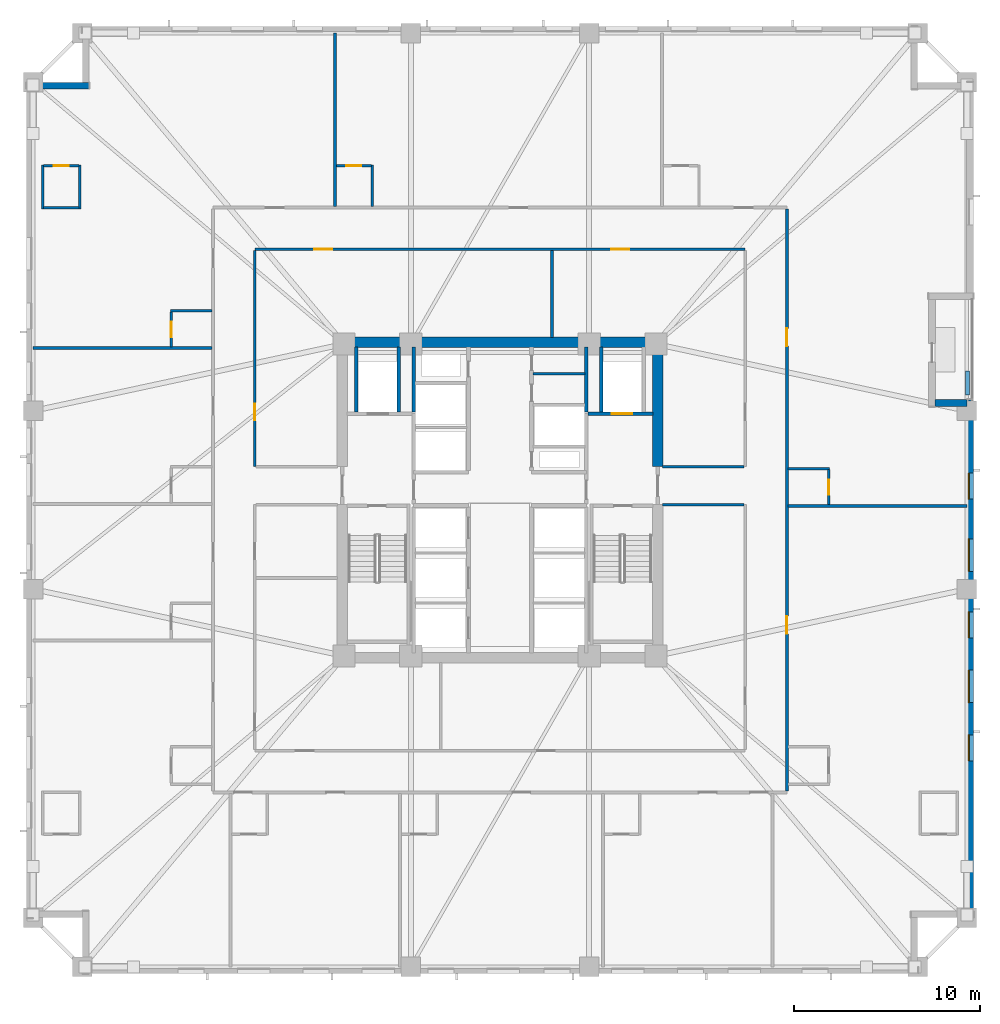
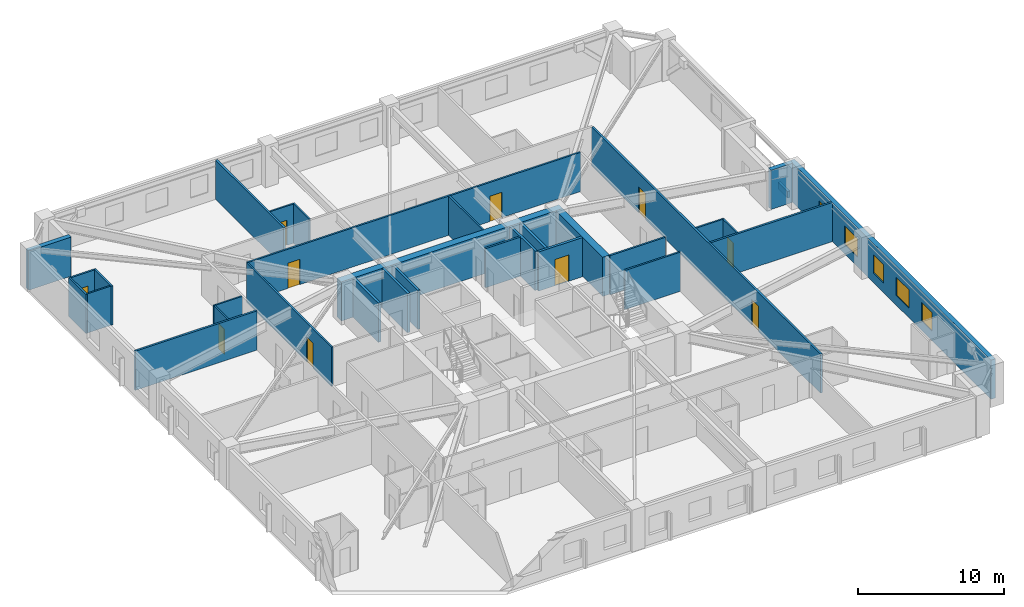
# One storey, part 5 of 11: 32 walls, 10 doors, 5 windows, 15 openings.
"""IFC4 building model written with IfcOpenShell, lengths in metres."""

from ifc_helpers import new_model, si_unit, direction, frame, frame_2d, origin, place, context, subcontext, project, spatial, rectangle, extrude, material, layer, layer_set, type_object, element, fill, save


model = new_model("IFC4")

# Units and contexts
model_context = context("Model", 3, precision=1e-05, world=origin(), true_north=direction((0.0, 1.0)))
body_context = subcontext(model_context, "Body", "Model", "MODEL_VIEW")
ifc_project = project(units=[si_unit("LENGTHUNIT", "METRE"), si_unit("AREAUNIT", "SQUARE_METRE"), si_unit("VOLUMEUNIT", "CUBIC_METRE"), si_unit("PLANEANGLEUNIT", "RADIAN"), si_unit("MASSUNIT", "GRAM", prefix="KILO")], contexts=[model_context])

# Site, building, storey
site_placement = place(None, origin())
site = spatial("IfcSite", under=ifc_project, at=site_placement, CompositionType="ELEMENT")
building_placement = place(site_placement, origin())
building = spatial("IfcBuilding", under=site, at=building_placement, Name="Cairnveth Concourse Tower", CompositionType="ELEMENT")
storey_placement = place(building_placement, frame((0.0, 0.0, 76.0)))
storey = spatial("IfcBuildingStorey", under=building, at=storey_placement, Name="L20", CompositionType="ELEMENT", Elevation=76.0)

# Wall
ifc_material_1 = material(Name="Gypsum Plasterboard Partition", Category="gypsum")
ifc_layer_1 = layer(ifc_material_1, 0.159912109375)
ifc_layer_set_1 = layer_set([ifc_layer_1], Name="Gypsum Plasterboard Partition")
wall_type_1 = type_object("IfcWallType", Name="ACOUSTIC PARTY WALL 180", PredefinedType="PARTITIONING", material=ifc_layer_set_1)
wall_1_placement = place(storey_placement, frame((53.784912109375, 45.800048828125, 0.0), z_axis=(0.0, 0.0, 1.0), x_axis=(1.0, 0.0, 0.0)))
element("IfcWall", 1, at=wall_1_placement, inside=storey, type_object=wall_type_1, Name="Interior Wall IW-L20-037", PredefinedType="PARTITIONING", context=body_context, shape_type="SweptSolid", body=[
    extrude(rectangle(XDim=2.7900390625, YDim=0.159912109375, at=frame_2d((1.39501953125, 0.0))), origin(), (0.0, 0.0, 1.0), 3.280029296875),
])

# Wall, openings, doors
wall_2_placement = place(storey_placement, frame((67.449951171875, 23.31494140625, 0.0), z_axis=(0.0, 0.0, 1.0), x_axis=(0.0, 1.0, 0.0)))
wall_2 = element("IfcWall", 2, at=wall_2_placement, inside=storey, type_object=wall_type_1, Name="Interior Wall IW-L20-041", PredefinedType="PARTITIONING", context=body_context, shape_type="SweptSolid", body=[
    extrude(rectangle(XDim=31.3701171875, YDim=0.159912109375, at=frame_2d((15.68505859375, 0.0))), origin(), (0.0, 0.0, 1.0), 3.280029296875),
])
opening_1_placement = place(wall_2_placement, frame((8.47412109375, 0.0, 0.0)))
opening_1 = element("IfcOpeningElement", 3, at=opening_1_placement, cuts=wall_2, Name="Opening ID09", PredefinedType="OPENING", context=body_context, shape_type="SweptSolid", body=[
    extrude(rectangle(XDim=0.9599609375, YDim=2.14990234375, at=frame_2d((0.47998046875, 1.074951171875))), frame((0.0, 0.08984375, 0.0), z_axis=(0.0, -1.0, 0.0), x_axis=(1.0, 0.0, 0.0)), (0.0, 0.0, 1.0), 0.179931640625),
])
opening_2_placement = place(wall_2_placement, frame((23.97412109375, 0.0, 0.0)))
opening_2 = element("IfcOpeningElement", 4, at=opening_2_placement, cuts=wall_2, Name="Opening ID09", PredefinedType="OPENING", context=body_context, shape_type="SweptSolid", body=[
    extrude(rectangle(XDim=0.9599609375, YDim=2.14990234375, at=frame_2d((0.47998046875, 1.074951171875))), frame((0.0, 0.08984375, 0.0), z_axis=(0.0, -1.0, 0.0), x_axis=(1.0, 0.0, 0.0)), (0.0, 0.0, 1.0), 0.179931640625),
])
ifc_material_2 = material(Name="Solid Core Hardwood Timber Leaf", Category="wood")
door_type_1 = type_object("IfcDoorType", Name="HOTEL ENTRANCE DOOR 960X2150", OperationType="NOTDEFINED", PredefinedType="DOOR", material=ifc_material_2)
door_1_placement = place(opening_1_placement, origin())
door_1 = element("IfcDoor", 5, at=door_1_placement, inside=storey, type_object=door_type_1, Name="Hotel Room Door L20-E1", OperationType="SINGLE_SWING_RIGHT", OverallHeight=2.14990234375, OverallWidth=0.9599609375, PredefinedType="DOOR", context=body_context, shape_type="SweptSolid", body=[
    extrude(rectangle(XDim=0.9599609375, YDim=2.14990234375, at=frame_2d((0.47998046875, 1.074951171875))), frame((0.0, 0.02490234375, 0.0), z_axis=(0.0, -1.0, 0.0), x_axis=(1.0, 0.0, 0.0)), (0.0, 0.0, 1.0), 0.050048828125),
])
fill(opening_1, door_1)
door_2_placement = place(opening_2_placement, origin())
door_2 = element("IfcDoor", 6, at=door_2_placement, inside=storey, type_object=door_type_1, Name="Hotel Room Door L20-E2", OperationType="SINGLE_SWING_RIGHT", OverallHeight=2.14990234375, OverallWidth=0.9599609375, PredefinedType="DOOR", context=body_context, shape_type="SweptSolid", body=[
    extrude(rectangle(XDim=0.9599609375, YDim=2.14990234375, at=frame_2d((0.47998046875, 1.074951171875))), frame((0.0, 0.02490234375, 0.0), z_axis=(0.0, -1.0, 0.0), x_axis=(1.0, 0.0, 0.0)), (0.0, 0.0, 1.0), 0.050048828125),
])
fill(opening_2, door_2)

# Walls
wall_3_placement = place(storey_placement, frame((43.1201171875, 54.81494140625, 0.0), z_axis=(0.0, 0.0, 1.0), x_axis=(0.0, 1.0, 0.0)))
element("IfcWall", 7, at=wall_3_placement, inside=storey, type_object=wall_type_1, Name="Interior Wall IW-L20-077", PredefinedType="PARTITIONING", context=body_context, shape_type="SweptSolid", body=[
    extrude(rectangle(XDim=9.340087890625, YDim=0.159912109375, at=frame_2d((4.669921875, 0.0))), origin(), (0.0, 0.0, 1.0), 3.280029296875),
])
for number, where, z_axis, x_axis, name in (
    (8, (26.844970703125, 47.18701171875, 0.0), (0.0, 0.0, 1.0), (1.0, 0.0, 0.0), "Interior Wall IW-L20-092"),
    (9, (67.514892578125, 38.68798828125, 0.0), (0.0, 0.0, 1.0), (1.0, 0.0, 0.0), "Interior Wall IW-L20-098"),
):
    element("IfcWall", number, at=place(storey_placement, frame(where, z_axis=z_axis, x_axis=x_axis)), inside=storey, type_object=wall_type_1, Name=name, PredefinedType="PARTITIONING", context=body_context, shape_type="SweptSolid", body=[
        extrude(rectangle(XDim=9.64013671875, YDim=0.159912109375, at=frame_2d((4.820068359375, 0.0))), origin(), (0.0, 0.0, 1.0), 3.280029296875),
    ])
ifc_material_3 = material(Name="Concrete N80 (80 MPa)", Category="concrete")
ifc_layer_2 = layer(ifc_material_3, 0.550048828125)
ifc_layer_set_2 = layer_set([ifc_layer_2], Name="Concrete N80 (80 MPa)")
wall_type_2 = type_object("IfcWallType", Name="CORE SHEAR WALL 550", PredefinedType="SHEAR", material=ifc_layer_set_2)
wall_4_placement = place(storey_placement, frame((43.22509765625, 47.5, 0.0), z_axis=(0.0, 0.0, 1.0), x_axis=(1.0, 0.0, 0.0)))
element("IfcWall", 10, at=wall_4_placement, inside=storey, type_object=wall_type_2, Name="Core North Shear Wall L20", PredefinedType="SHEAR", context=body_context, shape_type="SweptSolid", body=[
    extrude(rectangle(XDim=17.5498046875, YDim=0.550048828125, at=frame_2d((8.77490234375, 0.0))), origin(), (0.0, 0.0, 1.0), 3.280029296875),
])
wall_5_placement = place(storey_placement, frame((60.5, 40.800048828125, 0.0), z_axis=(0.0, 0.0, 1.0), x_axis=(0.0, 1.0, 0.0)))
element("IfcWall", 11, at=wall_5_placement, inside=storey, type_object=wall_type_2, Name="Core East Shear Wall N L20", PredefinedType="SHEAR", context=body_context, shape_type="SweptSolid", body=[
    extrude(rectangle(XDim=6.43505859375, YDim=0.550048828125, at=frame_2d((3.217529296875, 0.0))), origin(), (0.0, 0.0, 1.0), 3.280029296875),
])
ifc_material_4 = material(Name="Concrete N50 (50 MPa)", Category="concrete")
ifc_layer_3 = layer(ifc_material_4, 0.179931640625)
ifc_layer_set_3 = layer_set([ifc_layer_3], Name="Concrete N50 (50 MPa)")
wall_type_3 = type_object("IfcWallType", Name="FIRE SHAFT WALL 180", PredefinedType="SOLIDWALL", material=ifc_layer_set_3)
for number, where, z_axis, x_axis, name in (
    (12, (47.35009765625, 43.735107421875, 0.0), (0.0, 0.0, 1.0), (0.0, 1.0, 0.0), "Interior Wall IW-L20-031"),
    (13, (56.64990234375, 43.735107421875, 0.0), (0.0, 0.0, 1.0), (0.0, 1.0, 0.0), "Interior Wall IW-L20-034"),
):
    element("IfcWall", number, at=place(storey_placement, frame(where, z_axis=z_axis, x_axis=x_axis)), inside=storey, type_object=wall_type_3, Name=name, PredefinedType="SOLIDWALL", context=body_context, shape_type="SweptSolid", body=[
        extrude(rectangle(XDim=3.5048828125, YDim=0.179931640625, at=frame_2d((1.75244140625, 0.0))), origin(), (0.0, 0.0, 1.0), 3.280029296875),
    ])
ifc_layer_4 = layer(ifc_material_4, 0.199951171875)
ifc_layer_set_4 = layer_set([ifc_layer_4], Name="Concrete N50 (50 MPa)")
wall_type_4 = type_object("IfcWallType", Name="FIRE SHAFT WALL 200", PredefinedType="SOLIDWALL", material=ifc_layer_set_4)
for number, where, z_axis, x_axis, name in (
    (14, (46.550048828125, 43.735107421875, 0.0), (0.0, 0.0, 1.0), (0.0, 1.0, 0.0), "Interior Wall IW-L20-018"),
    (15, (44.25, 43.735107421875, 0.0), (0.0, 0.0, 1.0), (0.0, 1.0, 0.0), "Interior Wall IW-L20-019"),
):
    element("IfcWall", number, at=place(storey_placement, frame(where, z_axis=z_axis, x_axis=x_axis)), inside=storey, type_object=wall_type_4, Name=name, PredefinedType="SOLIDWALL", context=body_context, shape_type="SweptSolid", body=[
        extrude(rectangle(XDim=3.5048828125, YDim=0.199951171875, at=frame_2d((1.75244140625, 0.0))), origin(), (0.0, 0.0, 1.0), 3.280029296875),
    ])

# Wall, opening, door
wall_6_placement = place(storey_placement, frame((56.735107421875, 43.64990234375, 0.0), z_axis=(0.0, 0.0, 1.0), x_axis=(1.0, 0.0, 0.0)))
wall_6 = element("IfcWall", 16, at=wall_6_placement, inside=storey, type_object=wall_type_4, Name="Interior Wall IW-L20-022", PredefinedType="SOLIDWALL", context=body_context, shape_type="SweptSolid", body=[
    extrude(rectangle(XDim=3.5048828125, YDim=0.199951171875, at=frame_2d((1.75244140625, 0.0))), origin(), (0.0, 0.0, 1.0), 3.280029296875),
])
opening_3_placement = place(wall_6_placement, frame((1.294921875, 0.0, 0.0)))
opening_3 = element("IfcOpeningElement", 17, at=opening_3_placement, cuts=wall_6, Name="Opening LD-1", PredefinedType="OPENING", context=body_context, shape_type="SweptSolid", body=[
    extrude(rectangle(XDim=1.10009765625, YDim=2.199951171875, at=frame_2d((0.550048828125, 1.10009765625))), frame((0.0, 0.10986328125, 0.0), z_axis=(0.0, -1.0, 0.0), x_axis=(1.0, 0.0, 0.0)), (0.0, 0.0, 1.0), 0.219970703125),
])
ifc_material_5 = material(Name="Architectural Bronze Anodised Aluminium 6063-T6", Category="aluminium")
door_type_2 = type_object("IfcDoorType", Name="LIFT LANDING DOOR 1100X2200", OperationType="SLIDING_TO_LEFT", PredefinedType="DOOR", material=ifc_material_5)
door_3_placement = place(opening_3_placement, origin())
door_3 = element("IfcDoor", 18, at=door_3_placement, inside=storey, type_object=door_type_2, Name="Lift FFL2 Landing Door L20", OperationType="SLIDING_TO_LEFT", OverallHeight=2.199951171875, OverallWidth=1.10009765625, PredefinedType="DOOR", context=body_context, shape_type="SweptSolid", body=[
    extrude(rectangle(XDim=1.10009765625, YDim=2.199951171875, at=frame_2d((0.550048828125, 1.10009765625))), frame((0.0, 0.02490234375, 0.0), z_axis=(0.0, -1.0, 0.0), x_axis=(1.0, 0.0, 0.0)), (0.0, 0.0, 1.0), 0.050048828125),
])
fill(opening_3, door_3)

# Wall
wall_7_placement = place(storey_placement, frame((57.449951171875, 43.735107421875, 0.0), z_axis=(0.0, 0.0, 1.0), x_axis=(0.0, 1.0, 0.0)))
element("IfcWall", 19, at=wall_7_placement, inside=storey, type_object=wall_type_4, Name="Interior Wall IW-L20-023", PredefinedType="SOLIDWALL", context=body_context, shape_type="SweptSolid", body=[
    extrude(rectangle(XDim=3.5048828125, YDim=0.199951171875, at=frame_2d((1.75244140625, 0.0))), origin(), (0.0, 0.0, 1.0), 3.280029296875),
])

# Wall, openings, doors
ifc_layer_5 = layer(ifc_material_1, 0.139892578125)
ifc_layer_set_5 = layer_set([ifc_layer_5], Name="Gypsum Plasterboard Partition")
wall_type_5 = type_object("IfcWallType", Name="GYPSUM STUD PARTITION 140", PredefinedType="PARTITIONING", material=ifc_layer_set_5)
wall_8_placement = place(storey_placement, frame((38.800048828125, 52.5, 0.0), z_axis=(0.0, 0.0, 1.0), x_axis=(1.0, 0.0, 0.0)))
wall_8 = element("IfcWall", 20, at=wall_8_placement, inside=storey, type_object=wall_type_5, Name="Interior Wall IW-L20-043", PredefinedType="PARTITIONING", context=body_context, shape_type="SweptSolid", body=[
    extrude(rectangle(XDim=26.39990234375, YDim=0.139892578125, at=frame_2d((13.199951171875, 0.0))), origin(), (0.0, 0.0, 1.0), 3.280029296875),
])
opening_4_placement = place(wall_8_placement, frame((3.199951171875, 0.0, 0.0)))
opening_4 = element("IfcOpeningElement", 21, at=opening_4_placement, cuts=wall_8, Name="Opening ID11", PredefinedType="OPENING", context=body_context, shape_type="SweptSolid", body=[
    extrude(rectangle(XDim=0.9599609375, YDim=2.1201171875, at=frame_2d((0.47998046875, 1.06005859375))), frame((0.0, 0.079833984375, 0.0), z_axis=(0.0, -1.0, 0.0), x_axis=(1.0, 0.0, 0.0)), (0.0, 0.0, 1.0), 0.159912109375),
])
opening_5_placement = place(wall_8_placement, frame((19.199951171875, 0.0, 0.0)))
opening_5 = element("IfcOpeningElement", 22, at=opening_5_placement, cuts=wall_8, Name="Opening ID11", PredefinedType="OPENING", context=body_context, shape_type="SweptSolid", body=[
    extrude(rectangle(XDim=0.9599609375, YDim=2.1201171875, at=frame_2d((0.47998046875, 1.06005859375))), frame((0.0, 0.079833984375, 0.0), z_axis=(0.0, -1.0, 0.0), x_axis=(1.0, 0.0, 0.0)), (0.0, 0.0, 1.0), 0.159912109375),
])
door_type_3 = type_object("IfcDoorType", Name="INTERIOR SINGLE DOOR 960X2150", OperationType="NOTDEFINED", PredefinedType="DOOR", material=ifc_material_2)
door_4_placement = place(opening_4_placement, origin())
door_4 = element("IfcDoor", 23, at=door_4_placement, inside=storey, type_object=door_type_3, Name="Interior Door DR-L20-016", OperationType="SINGLE_SWING_RIGHT", OverallHeight=2.1201171875, OverallWidth=0.9599609375, PredefinedType="DOOR", context=body_context, shape_type="SweptSolid", body=[
    extrude(rectangle(XDim=0.9599609375, YDim=2.1201171875, at=frame_2d((0.47998046875, 1.06005859375))), frame((0.0, 0.02490234375, 0.0), z_axis=(0.0, -1.0, 0.0), x_axis=(1.0, 0.0, 0.0)), (0.0, 0.0, 1.0), 0.050048828125),
])
fill(opening_4, door_4)
door_5_placement = place(opening_5_placement, origin())
door_5 = element("IfcDoor", 24, at=door_5_placement, inside=storey, type_object=door_type_3, Name="Interior Door DR-L20-017", OperationType="SINGLE_SWING_LEFT", OverallHeight=2.1201171875, OverallWidth=0.9599609375, PredefinedType="DOOR", context=body_context, shape_type="SweptSolid", body=[
    extrude(rectangle(XDim=0.9599609375, YDim=2.1201171875, at=frame_2d((0.47998046875, 1.06005859375))), frame((0.0, 0.02490234375, 0.0), z_axis=(0.0, -1.0, 0.0), x_axis=(1.0, 0.0, 0.0)), (0.0, 0.0, 1.0), 0.050048828125),
])
fill(opening_5, door_5)

# Wall, opening, door
wall_9_placement = place(storey_placement, frame((38.800048828125, 40.800048828125, 0.0), z_axis=(0.0, 0.0, 1.0), x_axis=(0.0, 1.0, 0.0)))
wall_9 = element("IfcWall", 25, at=wall_9_placement, inside=storey, type_object=wall_type_5, Name="Interior Wall IW-L20-045", PredefinedType="PARTITIONING", context=body_context, shape_type="SweptSolid", body=[
    extrude(rectangle(XDim=11.64501953125, YDim=0.139892578125, at=frame_2d((5.822509765625, 0.0))), origin(), (0.0, 0.0, 1.0), 3.280029296875),
])
opening_6_placement = place(wall_9_placement, frame((2.5, 0.0, 0.0)))
opening_6 = element("IfcOpeningElement", 26, at=opening_6_placement, cuts=wall_9, Name="Opening ID18", PredefinedType="OPENING", context=body_context, shape_type="SweptSolid", body=[
    extrude(rectangle(XDim=0.8798828125, YDim=2.10009765625, at=frame_2d((0.43994140625, 1.050048828125))), frame((0.0, 0.079833984375, 0.0), z_axis=(0.0, -1.0, 0.0), x_axis=(1.0, 0.0, 0.0)), (0.0, 0.0, 1.0), 0.159912109375),
])
door_type_4 = type_object("IfcDoorType", Name="INTERIOR SINGLE DOOR 880X2100", OperationType="NOTDEFINED", PredefinedType="DOOR", material=ifc_material_2)
door_6_placement = place(opening_6_placement, origin())
door_6 = element("IfcDoor", 27, at=door_6_placement, inside=storey, type_object=door_type_4, Name="Interior Door DR-L20-020", OperationType="SINGLE_SWING_RIGHT", OverallHeight=2.10009765625, OverallWidth=0.8798828125, PredefinedType="DOOR", context=body_context, shape_type="SweptSolid", body=[
    extrude(rectangle(XDim=0.8798828125, YDim=2.10009765625, at=frame_2d((0.43994140625, 1.050048828125))), frame((0.0, 0.02490234375, 0.0), z_axis=(0.0, -1.0, 0.0), x_axis=(1.0, 0.0, 0.0)), (0.0, 0.0, 1.0), 0.050048828125),
])
fill(opening_6, door_6)

# Walls
for number, where, z_axis, x_axis, name in (
    (28, (60.760009765625, 38.75, 0.0), (0.0, 0.0, 1.0), (1.0, 0.0, 0.0), "Interior Wall IW-L20-050"),
    (29, (60.760009765625, 40.800048828125, 0.0), (0.0, 0.0, 1.0), (1.0, 0.0, 0.0), "Interior Wall IW-L20-051"),
):
    element("IfcWall", number, at=place(storey_placement, frame(where, z_axis=z_axis, x_axis=x_axis)), inside=storey, type_object=wall_type_5, Name=name, PredefinedType="PARTITIONING", context=body_context, shape_type="SweptSolid", body=[
        extrude(rectangle(XDim=4.385009765625, YDim=0.139892578125, at=frame_2d((2.1923828125, 0.0))), origin(), (0.0, 0.0, 1.0), 3.280029296875),
    ])
wall_10_placement = place(storey_placement, frame((54.800048828125, 47.760009765625, 0.0), z_axis=(0.0, 0.0, 1.0), x_axis=(0.0, 1.0, 0.0)))
element("IfcWall", 30, at=wall_10_placement, inside=storey, type_object=wall_type_5, Name="Interior Wall IW-L20-053", PredefinedType="PARTITIONING", context=body_context, shape_type="SweptSolid", body=[
    extrude(rectangle(XDim=4.68505859375, YDim=0.139892578125, at=frame_2d((2.342529296875, 0.0))), origin(), (0.0, 0.0, 1.0), 3.280029296875),
])
ifc_material_6 = material(Name="Dressed Melbourne Bluestone Cladding", Category="masonry")
ifc_layer_6 = layer(ifc_material_6, 0.219970703125)
ifc_layer_set_6 = layer_set([ifc_layer_6], Name="Dressed Melbourne Bluestone Cladding")
wall_type_6 = type_object("IfcWallType", Name="TERRACE PLANTER CURB WALL 220", PredefinedType="PARAPET", material=ifc_layer_set_6)
wall_11_placement = place(storey_placement, frame((77.179931640625, 44.64990234375, 0.0), z_axis=(0.0, 0.0, 1.0), x_axis=(0.0, 1.0, 0.0)))
element("IfcWall", 31, at=wall_11_placement, inside=storey, type_object=wall_type_6, Name="Exterior Wall PLNT-L20-TERR", PredefinedType="PARAPET", context=body_context, shape_type="SweptSolid", body=[
    extrude(rectangle(XDim=1.300048828125, YDim=0.219970703125, at=frame_2d((0.64990234375, 0.0))), origin(), (0.0, 0.0, 1.0), 0.550048828125),
])
ifc_layer_7 = layer(ifc_material_1, 0.1298828125)
ifc_layer_set_7 = layer_set([ifc_layer_7], Name="Gypsum Plasterboard Partition")
wall_type_7 = type_object("IfcWallType", Name="WET AREA PARTITION 140", PredefinedType="PLUMBINGWALL", material=ifc_layer_set_7)
for number, where, z_axis, x_axis, name in (
    (32, (27.3701171875, 54.669921875, 0.0), (0.0, 0.0, 1.0), (0.0, 1.0, 0.0), "Interior Wall IW-L20-073"),
    (33, (29.3701171875, 54.669921875, 0.0), (0.0, 0.0, 1.0), (0.0, 1.0, 0.0), "Interior Wall IW-L20-074"),
):
    element("IfcWall", number, at=place(storey_placement, frame(where, z_axis=z_axis, x_axis=x_axis)), inside=storey, type_object=wall_type_7, Name=name, PredefinedType="PLUMBINGWALL", context=body_context, shape_type="SweptSolid", body=[
        extrude(rectangle(XDim=2.380126953125, YDim=0.1298828125, at=frame_2d((1.18994140625, 0.0))), origin(), (0.0, 0.0, 1.0), 3.280029296875),
    ])

# Wall, opening, door
wall_12_placement = place(storey_placement, frame((27.419921875, 57.0, 0.0), z_axis=(0.0, 0.0, 1.0), x_axis=(1.0, 0.0, 0.0)))
wall_12 = element("IfcWall", 34, at=wall_12_placement, inside=storey, type_object=wall_type_7, Name="Interior Wall IW-L20-075", PredefinedType="PLUMBINGWALL", context=body_context, shape_type="SweptSolid", body=[
    extrude(rectangle(XDim=1.900146484375, YDim=0.1298828125, at=frame_2d((0.9501953125, 0.0))), origin(), (0.0, 0.0, 1.0), 3.280029296875),
])
opening_7_placement = place(wall_12_placement, frame((0.5400390625, 0.0, 0.0)))
opening_7 = element("IfcOpeningElement", 35, at=opening_7_placement, cuts=wall_12, Name="Opening ID22", PredefinedType="OPENING", context=body_context, shape_type="SweptSolid", body=[
    extrude(rectangle(XDim=0.820068359375, YDim=2.10009765625, at=frame_2d((0.41015625, 1.050048828125))), frame((0.0, 0.074951171875, 0.0), z_axis=(0.0, -1.0, 0.0), x_axis=(1.0, 0.0, 0.0)), (0.0, 0.0, 1.0), 0.14990234375),
])
door_type_5 = type_object("IfcDoorType", Name="INTERIOR WC DOOR 820X2100", OperationType="NOTDEFINED", PredefinedType="DOOR", material=ifc_material_2)
door_7_placement = place(opening_7_placement, origin())
door_7 = element("IfcDoor", 36, at=door_7_placement, inside=storey, type_object=door_type_5, Name="En-Suite Door L20-N1", OperationType="SINGLE_SWING_LEFT", OverallHeight=2.10009765625, OverallWidth=0.820068359375, PredefinedType="DOOR", context=body_context, shape_type="SweptSolid", body=[
    extrude(rectangle(XDim=0.820068359375, YDim=2.10009765625, at=frame_2d((0.41015625, 1.050048828125))), frame((0.0, 0.02490234375, 0.0), z_axis=(0.0, -1.0, 0.0), x_axis=(1.0, 0.0, 0.0)), (0.0, 0.0, 1.0), 0.050048828125),
])
fill(opening_7, door_7)

# Walls
wall_13_placement = place(storey_placement, frame((27.419921875, 54.75, 0.0), z_axis=(0.0, 0.0, 1.0), x_axis=(1.0, 0.0, 0.0)))
element("IfcWall", 37, at=wall_13_placement, inside=storey, type_object=wall_type_7, Name="Interior Wall IW-L20-076", PredefinedType="PLUMBINGWALL", context=body_context, shape_type="SweptSolid", body=[
    extrude(rectangle(XDim=1.900146484375, YDim=0.1298828125, at=frame_2d((0.9501953125, 0.0))), origin(), (0.0, 0.0, 1.0), 3.280029296875),
])
wall_14_placement = place(storey_placement, frame((45.1201171875, 54.81494140625, 0.0), z_axis=(0.0, 0.0, 1.0), x_axis=(0.0, 1.0, 0.0)))
element("IfcWall", 38, at=wall_14_placement, inside=storey, type_object=wall_type_7, Name="Interior Wall IW-L20-078", PredefinedType="PLUMBINGWALL", context=body_context, shape_type="SweptSolid", body=[
    extrude(rectangle(XDim=2.235107421875, YDim=0.1298828125, at=frame_2d((1.11767578125, 0.0))), origin(), (0.0, 0.0, 1.0), 3.280029296875),
])

# Wall, opening, door
wall_15_placement = place(storey_placement, frame((43.18505859375, 57.0, 0.0), z_axis=(0.0, 0.0, 1.0), x_axis=(1.0, 0.0, 0.0)))
wall_15 = element("IfcWall", 39, at=wall_15_placement, inside=storey, type_object=wall_type_7, Name="Interior Wall IW-L20-079", PredefinedType="PLUMBINGWALL", context=body_context, shape_type="SweptSolid", body=[
    extrude(rectangle(XDim=1.885009765625, YDim=0.1298828125, at=frame_2d((0.9423828125, 0.0))), origin(), (0.0, 0.0, 1.0), 3.280029296875),
])
opening_8_placement = place(wall_15_placement, frame((0.52490234375, 0.0, 0.0)))
opening_8 = element("IfcOpeningElement", 40, at=opening_8_placement, cuts=wall_15, Name="Opening ID22", PredefinedType="OPENING", context=body_context, shape_type="SweptSolid", body=[
    extrude(rectangle(XDim=0.820068359375, YDim=2.10009765625, at=frame_2d((0.41015625, 1.050048828125))), frame((0.0, 0.074951171875, 0.0), z_axis=(0.0, -1.0, 0.0), x_axis=(1.0, 0.0, 0.0)), (0.0, 0.0, 1.0), 0.14990234375),
])
door_8_placement = place(opening_8_placement, origin())
door_8 = element("IfcDoor", 41, at=door_8_placement, inside=storey, type_object=door_type_5, Name="En-Suite Door L20-N2", OperationType="SINGLE_SWING_LEFT", OverallHeight=2.10009765625, OverallWidth=0.820068359375, PredefinedType="DOOR", context=body_context, shape_type="SweptSolid", body=[
    extrude(rectangle(XDim=0.820068359375, YDim=2.10009765625, at=frame_2d((0.41015625, 1.050048828125))), frame((0.0, 0.02490234375, 0.0), z_axis=(0.0, -1.0, 0.0), x_axis=(1.0, 0.0, 0.0)), (0.0, 0.0, 1.0), 0.050048828125),
])
fill(opening_8, door_8)

# Wall
wall_16_placement = place(storey_placement, frame((34.25, 49.18701171875, 0.0), z_axis=(0.0, 0.0, 1.0), x_axis=(1.0, 0.0, 0.0)))
element("IfcWall", 42, at=wall_16_placement, inside=storey, type_object=wall_type_7, Name="Interior Wall IW-L20-093", PredefinedType="PLUMBINGWALL", context=body_context, shape_type="SweptSolid", body=[
    extrude(rectangle(XDim=2.235107421875, YDim=0.1298828125, at=frame_2d((1.11767578125, 0.0))), origin(), (0.0, 0.0, 1.0), 3.280029296875),
])

# Wall, opening, door
wall_17_placement = place(storey_placement, frame((34.300048828125, 47.251953125, 0.0), z_axis=(0.0, 0.0, 1.0), x_axis=(0.0, 1.0, 0.0)))
wall_17 = element("IfcWall", 43, at=wall_17_placement, inside=storey, type_object=wall_type_7, Name="Interior Wall IW-L20-094", PredefinedType="PLUMBINGWALL", context=body_context, shape_type="SweptSolid", body=[
    extrude(rectangle(XDim=1.885009765625, YDim=0.1298828125, at=frame_2d((0.9423828125, 0.0))), origin(), (0.0, 0.0, 1.0), 3.280029296875),
])
opening_9_placement = place(wall_17_placement, frame((0.52490234375, 0.0, 0.0)))
opening_9 = element("IfcOpeningElement", 44, at=opening_9_placement, cuts=wall_17, Name="Opening ID22", PredefinedType="OPENING", context=body_context, shape_type="SweptSolid", body=[
    extrude(rectangle(XDim=0.820068359375, YDim=2.10009765625, at=frame_2d((0.41015625, 1.050048828125))), frame((0.0, 0.074951171875, 0.0), z_axis=(0.0, -1.0, 0.0), x_axis=(1.0, 0.0, 0.0)), (0.0, 0.0, 1.0), 0.14990234375),
])
door_9_placement = place(opening_9_placement, origin())
door_9 = element("IfcDoor", 45, at=door_9_placement, inside=storey, type_object=door_type_5, Name="En-Suite Door L20-W4", OperationType="SINGLE_SWING_LEFT", OverallHeight=2.10009765625, OverallWidth=0.820068359375, PredefinedType="DOOR", context=body_context, shape_type="SweptSolid", body=[
    extrude(rectangle(XDim=0.820068359375, YDim=2.10009765625, at=frame_2d((0.41015625, 1.050048828125))), frame((0.0, 0.02490234375, 0.0), z_axis=(0.0, -1.0, 0.0), x_axis=(1.0, 0.0, 0.0)), (0.0, 0.0, 1.0), 0.050048828125),
])
fill(opening_9, door_9)

# Wall
wall_18_placement = place(storey_placement, frame((67.514892578125, 40.68798828125, 0.0), z_axis=(0.0, 0.0, 1.0), x_axis=(1.0, 0.0, 0.0)))
element("IfcWall", 46, at=wall_18_placement, inside=storey, type_object=wall_type_7, Name="Interior Wall IW-L20-099", PredefinedType="PLUMBINGWALL", context=body_context, shape_type="SweptSolid", body=[
    extrude(rectangle(XDim=2.235107421875, YDim=0.1298828125, at=frame_2d((1.11767578125, 0.0))), origin(), (0.0, 0.0, 1.0), 3.280029296875),
])

# Wall, opening, door
wall_19_placement = place(storey_placement, frame((69.699951171875, 38.7529296875, 0.0), z_axis=(0.0, 0.0, 1.0), x_axis=(0.0, 1.0, 0.0)))
wall_19 = element("IfcWall", 47, at=wall_19_placement, inside=storey, type_object=wall_type_7, Name="Interior Wall IW-L20-100", PredefinedType="PLUMBINGWALL", context=body_context, shape_type="SweptSolid", body=[
    extrude(rectangle(XDim=1.885009765625, YDim=0.1298828125, at=frame_2d((0.9423828125, 0.0))), origin(), (0.0, 0.0, 1.0), 3.280029296875),
])
opening_10_placement = place(wall_19_placement, frame((0.52490234375, 0.0, 0.0)))
opening_10 = element("IfcOpeningElement", 48, at=opening_10_placement, cuts=wall_19, Name="Opening ID22", PredefinedType="OPENING", context=body_context, shape_type="SweptSolid", body=[
    extrude(rectangle(XDim=0.820068359375, YDim=2.10009765625, at=frame_2d((0.41015625, 1.050048828125))), frame((0.0, 0.074951171875, 0.0), z_axis=(0.0, -1.0, 0.0), x_axis=(1.0, 0.0, 0.0)), (0.0, 0.0, 1.0), 0.14990234375),
])
door_10_placement = place(opening_10_placement, origin())
door_10 = element("IfcDoor", 49, at=door_10_placement, inside=storey, type_object=door_type_5, Name="En-Suite Door L20-E2", OperationType="SINGLE_SWING_LEFT", OverallHeight=2.10009765625, OverallWidth=0.820068359375, PredefinedType="DOOR", context=body_context, shape_type="SweptSolid", body=[
    extrude(rectangle(XDim=0.820068359375, YDim=2.10009765625, at=frame_2d((0.41015625, 1.050048828125))), frame((0.0, 0.02490234375, 0.0), z_axis=(0.0, -1.0, 0.0), x_axis=(1.0, 0.0, 0.0)), (0.0, 0.0, 1.0), 0.050048828125),
])
fill(opening_10, door_10)

# Wall, openings, windows
ifc_material_7 = material(Name="Hawthorn Red-Ochre Fired Clay Brick Masonry", Category="masonry")
ifc_layer_8 = layer(ifc_material_7, 0.360107421875)
ifc_layer_set_8 = layer_set([ifc_layer_8], Name="Hawthorn Red-Ochre Fired Clay Brick Masonry")
wall_type_8 = type_object("IfcWallType", Name="ZONE 1 BRICK PIER SPANDREL WALL 360", PredefinedType="SOLIDWALL", material=ifc_layer_set_8)
wall_20_placement = place(storey_placement, frame((77.320068359375, 44.39990234375, 0.0), z_axis=(0.0, 0.0, 1.0), x_axis=(0.0, -1.0, 0.0)))
wall_20 = element("IfcWall", 50, at=wall_20_placement, inside=storey, type_object=wall_type_8, Name="Exterior Wall EW-L20-S00", PredefinedType="SOLIDWALL", context=body_context, shape_type="SweptSolid", body=[
    extrude(rectangle(XDim=27.56201171875, YDim=0.360107421875, at=frame_2d((13.781005859375, 0.0))), origin(), (0.0, 0.0, 1.0), 3.280029296875),
])
opening_11_placement = place(wall_20_placement, frame((3.955078125, 0.0, 0.800048828125)))
opening_11 = element("IfcOpeningElement", 51, at=opening_11_placement, cuts=wall_20, Name="Opening W05", PredefinedType="OPENING", context=body_context, shape_type="SweptSolid", body=[
    extrude(rectangle(XDim=1.39990234375, YDim=1.5439453125, at=frame_2d((0.699951171875, 0.77197265625))), frame((0.0, 0.18994140625, 0.0), z_axis=(0.0, -1.0, 0.0), x_axis=(1.0, 0.0, 0.0)), (0.0, 0.0, 1.0), 0.380126953125),
])
opening_12_placement = place(wall_20_placement, frame((7.490478515625, 0.0, 0.800048828125)))
opening_12 = element("IfcOpeningElement", 52, at=opening_12_placement, cuts=wall_20, Name="Opening W06", PredefinedType="OPENING", context=body_context, shape_type="SweptSolid", body=[
    extrude(rectangle(XDim=1.75, YDim=1.5439453125, at=frame_2d((0.875, 0.77197265625))), frame((0.0, 0.18994140625, 0.0), z_axis=(0.0, -1.0, 0.0), x_axis=(1.0, 0.0, 0.0)), (0.0, 0.0, 1.0), 0.380126953125),
])
opening_13_placement = place(wall_20_placement, frame((11.42578125, 0.0, 0.800048828125)))
opening_13 = element("IfcOpeningElement", 53, at=opening_13_placement, cuts=wall_20, Name="Opening W05", PredefinedType="OPENING", context=body_context, shape_type="SweptSolid", body=[
    extrude(rectangle(XDim=1.39990234375, YDim=1.5439453125, at=frame_2d((0.699951171875, 0.77197265625))), frame((0.0, 0.18994140625, 0.0), z_axis=(0.0, -1.0, 0.0), x_axis=(1.0, 0.0, 0.0)), (0.0, 0.0, 1.0), 0.380126953125),
])
opening_14_placement = place(wall_20_placement, frame((14.561279296875, 0.0, 0.800048828125)))
opening_14 = element("IfcOpeningElement", 54, at=opening_14_placement, cuts=wall_20, Name="Opening W06", PredefinedType="OPENING", context=body_context, shape_type="SweptSolid", body=[
    extrude(rectangle(XDim=1.75, YDim=1.5439453125, at=frame_2d((0.875, 0.77197265625))), frame((0.0, 0.18994140625, 0.0), z_axis=(0.0, -1.0, 0.0), x_axis=(1.0, 0.0, 0.0)), (0.0, 0.0, 1.0), 0.380126953125),
])
opening_15_placement = place(wall_20_placement, frame((18.04638671875, 0.0, 0.800048828125)))
opening_15 = element("IfcOpeningElement", 55, at=opening_15_placement, cuts=wall_20, Name="Opening W05", PredefinedType="OPENING", context=body_context, shape_type="SweptSolid", body=[
    extrude(rectangle(XDim=1.39990234375, YDim=1.5439453125, at=frame_2d((0.699951171875, 0.77197265625))), frame((0.0, 0.18994140625, 0.0), z_axis=(0.0, -1.0, 0.0), x_axis=(1.0, 0.0, 0.0)), (0.0, 0.0, 1.0), 0.380126953125),
])
ifc_material_8 = material(Name="Double Glazed Low-E Clear Glass", Category="glass")
window_type_1 = type_object("IfcWindowType", Name="DEEP-SET HOTEL CASEMENT WINDOW 1400X1750", PartitioningType="DOUBLE_PANEL_VERTICAL", PredefinedType="WINDOW", material=ifc_material_8)
window_1_placement = place(opening_11_placement, origin())
window_1 = element("IfcWindow", 56, at=window_1_placement, inside=storey, type_object=window_type_1, Name="Gothic Lancet Window L20-0-1", OverallHeight=1.5439453125, OverallWidth=1.39990234375, PartitioningType="SINGLE_PANEL", PredefinedType="WINDOW", context=body_context, shape_type="SweptSolid", body=[
    extrude(rectangle(XDim=1.39990234375, YDim=1.5439453125, at=frame_2d((0.699951171875, 0.77197265625))), frame((0.0, -0.050048828125, 0.0), z_axis=(0.0, -1.0, 0.0), x_axis=(1.0, 0.0, 0.0)), (0.0, 0.0, 1.0), 0.06005859375),
])
fill(opening_11, window_1)
window_2_placement = place(opening_13_placement, origin())
window_2 = element("IfcWindow", 57, at=window_2_placement, inside=storey, type_object=window_type_1, Name="Gothic Lancet Window L20-0-3", OverallHeight=1.5439453125, OverallWidth=1.39990234375, PartitioningType="SINGLE_PANEL", PredefinedType="WINDOW", context=body_context, shape_type="SweptSolid", body=[
    extrude(rectangle(XDim=1.39990234375, YDim=1.5439453125, at=frame_2d((0.699951171875, 0.77197265625))), frame((0.0, -0.050048828125, 0.0), z_axis=(0.0, -1.0, 0.0), x_axis=(1.0, 0.0, 0.0)), (0.0, 0.0, 1.0), 0.06005859375),
])
fill(opening_13, window_2)
window_3_placement = place(opening_15_placement, origin())
window_3 = element("IfcWindow", 58, at=window_3_placement, inside=storey, type_object=window_type_1, Name="Gothic Lancet Window L20-0-5", OverallHeight=1.5439453125, OverallWidth=1.39990234375, PartitioningType="SINGLE_PANEL", PredefinedType="WINDOW", context=body_context, shape_type="SweptSolid", body=[
    extrude(rectangle(XDim=1.39990234375, YDim=1.5439453125, at=frame_2d((0.699951171875, 0.77197265625))), frame((0.0, -0.050048828125, 0.0), z_axis=(0.0, -1.0, 0.0), x_axis=(1.0, 0.0, 0.0)), (0.0, 0.0, 1.0), 0.06005859375),
])
fill(opening_15, window_3)
window_type_2 = type_object("IfcWindowType", Name="DEEP-SET HOTEL SUITE WINDOW 1750X1800", PartitioningType="DOUBLE_PANEL_VERTICAL", PredefinedType="WINDOW", material=ifc_material_8)
window_4_placement = place(opening_12_placement, origin())
window_4 = element("IfcWindow", 59, at=window_4_placement, inside=storey, type_object=window_type_2, Name="Gothic Lancet Window L20-0-2", OverallHeight=1.5439453125, OverallWidth=1.75, PartitioningType="SINGLE_PANEL", PredefinedType="WINDOW", context=body_context, shape_type="SweptSolid", body=[
    extrude(rectangle(XDim=1.75, YDim=1.5439453125, at=frame_2d((0.875, 0.77197265625))), frame((0.0, -0.050048828125, 0.0), z_axis=(0.0, -1.0, 0.0), x_axis=(1.0, 0.0, 0.0)), (0.0, 0.0, 1.0), 0.06005859375),
])
fill(opening_12, window_4)
window_5_placement = place(opening_14_placement, origin())
window_5 = element("IfcWindow", 60, at=window_5_placement, inside=storey, type_object=window_type_2, Name="Gothic Lancet Window L20-0-4", OverallHeight=1.5439453125, OverallWidth=1.75, PartitioningType="SINGLE_PANEL", PredefinedType="WINDOW", context=body_context, shape_type="SweptSolid", body=[
    extrude(rectangle(XDim=1.75, YDim=1.5439453125, at=frame_2d((0.875, 0.77197265625))), frame((0.0, -0.050048828125, 0.0), z_axis=(0.0, -1.0, 0.0), x_axis=(1.0, 0.0, 0.0)), (0.0, 0.0, 1.0), 0.06005859375),
])
fill(opening_14, window_5)

# Walls
wall_21_placement = place(storey_placement, frame((26.5, 61.320068359375, 0.0), z_axis=(0.0, 0.0, 1.0), x_axis=(1.0, 0.0, 0.0)))
element("IfcWall", 61, at=wall_21_placement, inside=storey, type_object=wall_type_8, Name="Exterior Wall EW-L20-S07", PredefinedType="SOLIDWALL", context=body_context, shape_type="SweptSolid", body=[
    extrude(rectangle(XDim=3.360107421875, YDim=0.360107421875, at=frame_2d((1.68017578125, 0.0))), origin(), (0.0, 0.0, 1.0), 3.280029296875),
])
wall_22_placement = place(storey_placement, frame((75.427978515625, 44.219970703125, 0.0), z_axis=(0.0, 0.0, 1.0), x_axis=(1.0, 0.0, 0.0)))
element("IfcWall", 62, at=wall_22_placement, inside=storey, type_object=wall_type_8, Name="Exterior Wall EW-L20-S15", PredefinedType="SOLIDWALL", context=body_context, shape_type="SweptSolid", body=[
    extrude(rectangle(XDim=1.734130859375, YDim=0.360107421875, at=frame_2d((0.8671875, 0.0))), origin(), (0.0, 0.0, 1.0), 3.280029296875),
])

save(model, "model.ifc")
